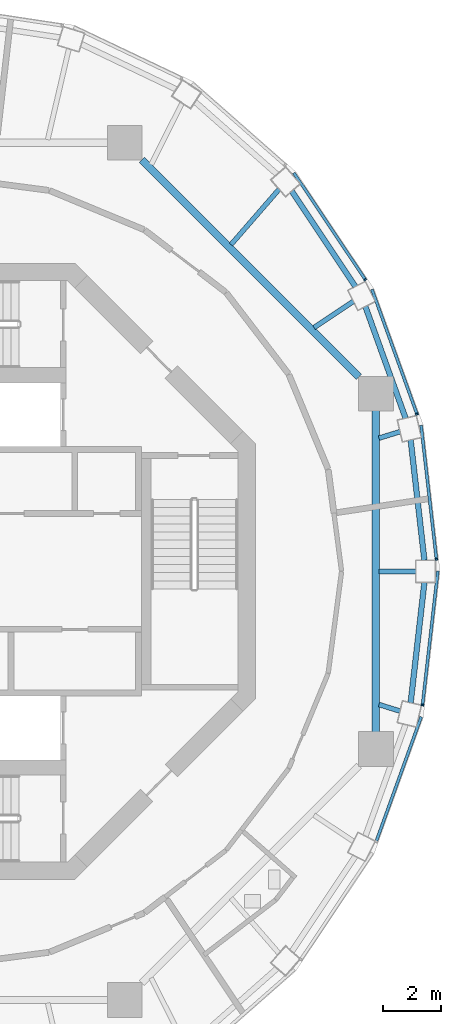
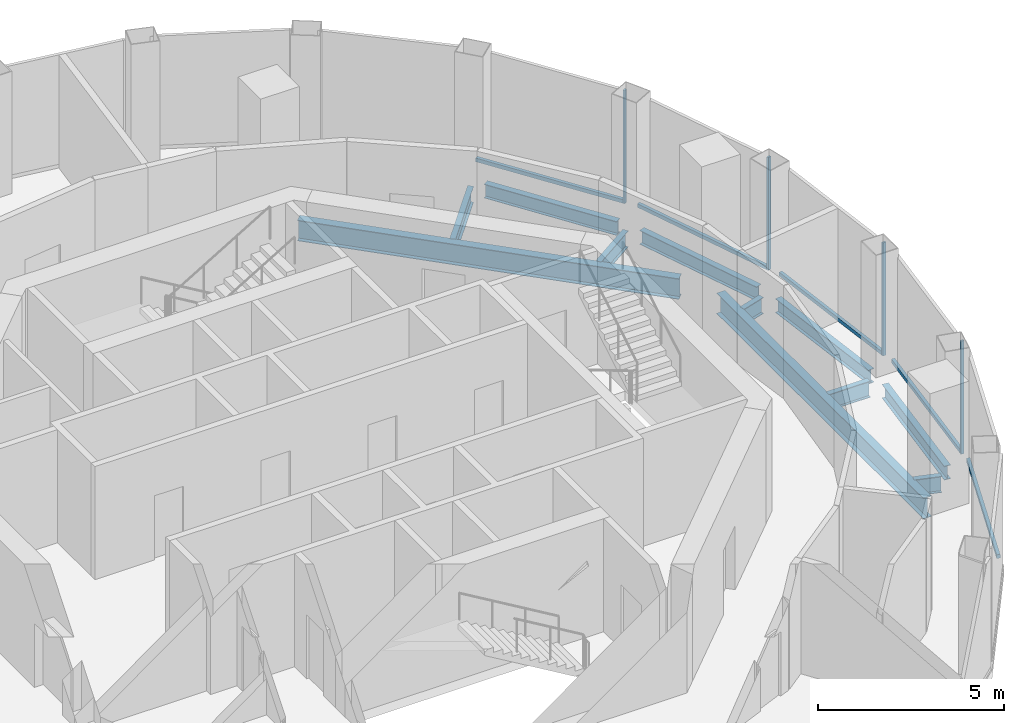
# One storey, part 5 of 12: 11 beams, 9 members, 5 elements without a shape of their own.
"""IFC4 building model written with IfcOpenShell, lengths in metres."""

from ifc_helpers import new_model, si_unit, direction, frame, origin, origin_2d, place, context, subcontext, project, spatial, rectangle, i_section, extrude, material, layer, layer_set, material_profile, profile_set, type_object, element, aggregate, save


model = new_model("IFC4")

# Units and contexts
model_context = context("Model", 3, precision=1e-05, world=origin(), true_north=direction((0.0, 1.0)))
body_context = subcontext(model_context, "Body", "Model", "MODEL_VIEW")
ifc_project = project(units=[si_unit("LENGTHUNIT", "METRE"), si_unit("AREAUNIT", "SQUARE_METRE"), si_unit("VOLUMEUNIT", "CUBIC_METRE"), si_unit("PLANEANGLEUNIT", "RADIAN"), si_unit("MASSUNIT", "GRAM", prefix="KILO")], contexts=[model_context])

# Site, building, storey
site_placement = place(None, origin())
site = spatial("IfcSite", under=ifc_project, at=site_placement, CompositionType="ELEMENT")
building_placement = place(site_placement, origin())
building = spatial("IfcBuilding", under=site, at=building_placement, Name="Nagisa Residences", CompositionType="ELEMENT")
storey_placement = place(building_placement, frame((0.0, 0.0, 328.89990234375)))
storey = spatial("IfcBuildingStorey", under=building, at=storey_placement, Name="L81", CompositionType="ELEMENT", Elevation=328.89990234375)

# Curtain wall, member
ifc_material_1 = material(Name="Aluminium curtain wall system", Category="aluminium")
ifc_layer = layer(ifc_material_1, 0.159912109375)
ifc_layer_set = layer_set([ifc_layer], Name="CW5 CURTAIN WALL")
curtain_wall_type = type_object("IfcCurtainWallType", Name="CW5 CURTAIN WALL", PredefinedType="NOTDEFINED", material=ifc_layer_set)
curtain_wall_1_placement = place(storey_placement, origin())
curtain_wall_1 = element("IfcCurtainWall", 1, at=curtain_wall_1_placement, inside=storey, type_object=curtain_wall_type, Name="cw:CW5:L81:00", PredefinedType="NOTDEFINED")
ifc_material_2 = material(Name="Aluminium", Category="aluminium")
ifc_material_profile_1 = material_profile(ifc_material_2, rectangle(XDim=0.10009765625, YDim=0.06005859375, at=origin_2d()), Name="CW5 MULLION 100x60")
ifc_profile_set_1 = profile_set([ifc_material_profile_1], Name="Aluminium")
member_type_1 = type_object("IfcMemberType", Name="CW5 MULLION 100x60", PredefinedType="MULLION", material=ifc_profile_set_1)
member_1_placement = place(storey_placement, frame((16.87158203125, 0.41796875, 0.0), z_axis=(0.0, 0.0, 1.0), x_axis=(-0.993477835048, -0.114025397474, 0.0)))
member_1 = element("IfcMember", 2, at=member_1_placement, type_object=member_type_1, Name="CW5 mullion", PredefinedType="MULLION", context=body_context, shape_type="SweptSolid", body=[
    extrude(rectangle(XDim=0.10009765625, YDim=0.06005859375, at=origin_2d()), origin(), (0.0, 0.0, 1.0), 3.7001953125),
])

curtain_wall_2_placement = place(storey_placement, origin())
curtain_wall_2 = element("IfcCurtainWall", 3, at=curtain_wall_2_placement, inside=storey, type_object=curtain_wall_type, Name="cw:CW5:L81:01", PredefinedType="NOTDEFINED")
member_2_placement = place(storey_placement, frame((16.199462890625, 5.42431640625, 0.0), z_axis=(0.0, 0.0, 1.0), x_axis=(-0.940554456033, -0.339642923136, 0.0)))
member_2 = element("IfcMember", 4, at=member_2_placement, type_object=member_type_1, Name="CW5 mullion", PredefinedType="MULLION", context=body_context, shape_type="SweptSolid", body=[
    extrude(rectangle(XDim=0.10009765625, YDim=0.06005859375, at=origin_2d()), origin(), (0.0, 0.0, 1.0), 3.7001953125),
])

curtain_wall_3_placement = place(storey_placement, origin())
curtain_wall_3 = element("IfcCurtainWall", 5, at=curtain_wall_3_placement, inside=storey, type_object=curtain_wall_type, Name="cw:CW5:L81:02", PredefinedType="NOTDEFINED")
member_3_placement = place(storey_placement, frame((14.416748046875, 10.06298828125, 0.0), z_axis=(0.0, 0.0, 1.0), x_axis=(-0.831172662415, -0.556014393027, 0.0)))
member_3 = element("IfcMember", 6, at=member_3_placement, type_object=member_type_1, Name="CW5 mullion", PredefinedType="MULLION", context=body_context, shape_type="SweptSolid", body=[
    extrude(rectangle(XDim=0.10009765625, YDim=0.06005859375, at=origin_2d()), origin(), (0.0, 0.0, 1.0), 3.7001953125),
])

curtain_wall_4_placement = place(storey_placement, origin())
curtain_wall_4 = element("IfcCurtainWall", 7, at=curtain_wall_4_placement, inside=storey, type_object=curtain_wall_type, Name="cw:CW5:L81:23", PredefinedType="NOTDEFINED")
member_4_placement = place(storey_placement, frame((16.390380859375, -4.610595703125, 0.0), z_axis=(0.0, 0.0, 1.0), x_axis=(-0.993477835048, 0.114025397474, 0.0)))
member_4 = element("IfcMember", 8, at=member_4_placement, type_object=member_type_1, Name="CW5 mullion", PredefinedType="MULLION", context=body_context, shape_type="SweptSolid", body=[
    extrude(rectangle(XDim=0.10009765625, YDim=0.06005859375, at=origin_2d()), origin(), (0.0, 0.0, 1.0), 3.7001953125),
])

# Member
ifc_material_3 = material(Name="Aluminium", Category="aluminium")
ifc_material_profile_2 = material_profile(ifc_material_3, rectangle(XDim=0.10009765625, YDim=0.1201171875, at=origin_2d()), Name="CW5 TRANSOM 100x120")
ifc_profile_set_2 = profile_set([ifc_material_profile_2], Name="Aluminium")
member_type_2 = type_object("IfcMemberType", Name="CW5 TRANSOM 100x120", PredefinedType="USERDEFINED", material=ifc_profile_set_2)
member_5_placement = place(storey_placement, frame((16.875, 0.38818359375, 0.06005859375), z_axis=(-0.114032075188, 0.993477068597, 0.0), x_axis=(-0.993477068597, -0.114032075188, 0.0)))
member_5 = element("IfcMember", 9, at=member_5_placement, type_object=member_type_2, Name="CW5 transom", ObjectType="TRANSOM", PredefinedType="USERDEFINED", context=body_context, shape_type="SweptSolid", body=[
    extrude(rectangle(XDim=0.10009765625, YDim=0.1201171875, at=origin_2d()), origin(), (0.0, 0.0, 1.0), 4.68017578125),
])

aggregate(curtain_wall_1, [member_1, member_5])

member_6_placement = place(storey_placement, frame((16.209716796875, 5.39599609375, 0.06005859375), z_axis=(-0.339645767878, 0.940553428766, 0.0), x_axis=(-0.940553428766, -0.339645767878, 0.0)))
member_6 = element("IfcMember", 10, at=member_6_placement, type_object=member_type_2, Name="CW5 transom", ObjectType="TRANSOM", PredefinedType="USERDEFINED", context=body_context, shape_type="SweptSolid", body=[
    extrude(rectangle(XDim=0.10009765625, YDim=0.1201171875, at=origin_2d()), origin(), (0.0, 0.0, 1.0), 4.600341796875),
])

aggregate(curtain_wall_2, [member_2, member_6])

member_7_placement = place(storey_placement, frame((14.43359375, 10.0380859375, 0.06005859375), z_axis=(-0.556026221044, 0.831164749921, 0.0), x_axis=(-0.831164749921, -0.556026221044, 0.0)))
member_7 = element("IfcMember", 11, at=member_7_placement, type_object=member_type_2, Name="CW5 transom", ObjectType="TRANSOM", PredefinedType="USERDEFINED", context=body_context, shape_type="SweptSolid", body=[
    extrude(rectangle(XDim=0.10009765625, YDim=0.1201171875, at=origin_2d()), origin(), (0.0, 0.0, 1.0), 4.458984375),
])

aggregate(curtain_wall_3, [member_3, member_7])

# Curtain wall, member
curtain_wall_5_placement = place(storey_placement, origin())
curtain_wall_5 = element("IfcCurtainWall", 12, at=curtain_wall_5_placement, inside=storey, type_object=curtain_wall_type, Name="cw:CW5:L81:22", PredefinedType="NOTDEFINED")
member_8_placement = place(storey_placement, frame((14.782958984375, -9.3466796875, 0.06005859375), z_axis=(0.339645767878, 0.940553428766, 0.0), x_axis=(-0.940553428766, 0.339645767878, 0.0)))
member_8 = element("IfcMember", 13, at=member_8_placement, type_object=member_type_2, Name="CW5 transom", ObjectType="TRANSOM", PredefinedType="USERDEFINED", context=body_context, shape_type="SweptSolid", body=[
    extrude(rectangle(XDim=0.10009765625, YDim=0.1201171875, at=origin_2d()), origin(), (0.0, 0.0, 1.0), 4.600341796875),
])
aggregate(curtain_wall_5, [member_8])

# Member
member_9_placement = place(storey_placement, frame((16.386962890625, -4.640380859375, 0.06005859375), z_axis=(0.11398649568, 0.993482299189, 0.0), x_axis=(-0.993482299189, 0.11398649568, 0.0)))
member_9 = element("IfcMember", 14, at=member_9_placement, type_object=member_type_2, Name="CW5 transom", ObjectType="TRANSOM", PredefinedType="USERDEFINED", context=body_context, shape_type="SweptSolid", body=[
    extrude(rectangle(XDim=0.10009765625, YDim=0.1201171875, at=origin_2d()), origin(), (0.0, 0.0, 1.0), 4.679931640625),
])

aggregate(curtain_wall_4, [member_4, member_9])

# Beams
ifc_material_4 = material(Name="Steel ASTM A572 Gr 50", Category="steel")
ifc_material_profile_3 = material_profile(ifc_material_4, i_section(OverallWidth=0.2529296875, OverallDepth=0.677978515625, WebThickness=0.01171875, FlangeThickness=0.016357421875, at=origin_2d()), Name="W690x125")
ifc_profile_set_3 = profile_set([ifc_material_profile_3], Name="Steel ASTM A572 Gr 50")
beam_type_1 = type_object("IfcBeamType", Name="Inner ring beam W690x125", PredefinedType="BEAM", material=ifc_profile_set_3)
beam_1_placement = place(storey_placement, frame((14.1962890625, 6.708740234375, -0.638916015625), z_axis=(-0.707106781187, 0.707106781187, 0.0), x_axis=(-0.707106781187, -0.707106781187, 0.0)))
element("IfcBeam", 15, at=beam_1_placement, inside=storey, type_object=beam_type_1, Name="beam:L81:ib1", PredefinedType="BEAM", context=body_context, shape_type="SweptSolid", body=[
    extrude(i_section(OverallWidth=0.2529296875, OverallDepth=0.677978515625, WebThickness=0.01171875, FlangeThickness=0.016357421875, at=origin_2d()), origin(), (0.0, 0.0, 1.0), 10.589111328125),
])
beam_2_placement = place(storey_placement, frame((14.781982421875, -5.54296875, -0.638916015625), z_axis=(0.0, 1.0, 0.0), x_axis=(-1.0, 0.0, 0.0)))
element("IfcBeam", 16, at=beam_2_placement, inside=storey, type_object=beam_type_1, Name="beam:L81:ib8", PredefinedType="BEAM", context=body_context, shape_type="SweptSolid", body=[
    extrude(i_section(OverallWidth=0.2529296875, OverallDepth=0.677978515625, WebThickness=0.01171875, FlangeThickness=0.016357421875, at=origin_2d()), origin(), (0.0, 0.0, 1.0), 11.0859375),
])
ifc_material_5 = material(Name="Steel ASTM A572 Gr 50", Category="steel")
ifc_material_profile_4 = material_profile(ifc_material_5, i_section(OverallWidth=0.18994140625, OverallDepth=0.45703125, WebThickness=0.009033203125, FlangeThickness=0.014404296875, at=origin_2d()), Name="W460x74")
ifc_profile_set_4 = profile_set([ifc_material_profile_4], Name="Steel ASTM A572 Gr 50")
beam_type_2 = type_object("IfcBeamType", Name="Perimeter ring beam W460x74", PredefinedType="BEAM", material=ifc_profile_set_4)
beam_3_placement = place(storey_placement, frame((16.45654296875, 0.380126953125, -0.5283203125), z_axis=(-0.113600894263, 0.993526465084, 0.0), x_axis=(-0.993526465084, -0.113600894263, 0.0)))
element("IfcBeam", 17, at=beam_3_placement, inside=storey, type_object=beam_type_2, Name="beam:L81:pb01", PredefinedType="BEAM", context=body_context, shape_type="SweptSolid", body=[
    extrude(i_section(OverallWidth=0.18994140625, OverallDepth=0.45703125, WebThickness=0.009033203125, FlangeThickness=0.014404296875, at=origin_2d()), origin(), (0.0, 0.0, 1.0), 4.184326171875),
])
beam_4_placement = place(storey_placement, frame((15.808349609375, 5.277587890625, -0.5283203125), z_axis=(-0.338517252251, 0.940960185092, 0.0), x_axis=(-0.940960185092, -0.338517252251, 0.0)))
element("IfcBeam", 18, at=beam_4_placement, inside=storey, type_object=beam_type_2, Name="beam:L81:pb02", PredefinedType="BEAM", context=body_context, shape_type="SweptSolid", body=[
    extrude(i_section(OverallWidth=0.18994140625, OverallDepth=0.45703125, WebThickness=0.009033203125, FlangeThickness=0.014404296875, at=origin_2d()), origin(), (0.0, 0.0, 1.0), 4.1044921875),
])
beam_5_placement = place(storey_placement, frame((14.0771484375, 9.818603515625, -0.5283203125), z_axis=(-0.554529560082, 0.832164026497, 0.0), x_axis=(-0.832164026497, -0.554529560082, 0.0)))
element("IfcBeam", 19, at=beam_5_placement, inside=storey, type_object=beam_type_2, Name="beam:L81:pb03", PredefinedType="BEAM", context=body_context, shape_type="SweptSolid", body=[
    extrude(i_section(OverallWidth=0.18994140625, OverallDepth=0.45703125, WebThickness=0.009033203125, FlangeThickness=0.014404296875, at=origin_2d()), origin(), (0.0, 0.0, 1.0), 3.96240234375),
])
beam_6_placement = place(storey_placement, frame((15.981201171875, -4.537353515625, -0.5283203125), z_axis=(0.113600894263, 0.993526465084, 0.0), x_axis=(-0.993526465084, 0.113600894263, 0.0)))
element("IfcBeam", 20, at=beam_6_placement, inside=storey, type_object=beam_type_2, Name="beam:L81:pb24", PredefinedType="BEAM", context=body_context, shape_type="SweptSolid", body=[
    extrude(i_section(OverallWidth=0.18994140625, OverallDepth=0.45703125, WebThickness=0.009033203125, FlangeThickness=0.014404296875, at=origin_2d()), origin(), (0.0, 0.0, 1.0), 4.184326171875),
])
ifc_material_6 = material(Name="Steel ASTM A572 Gr 50", Category="steel")
ifc_material_profile_5 = material_profile(ifc_material_6, i_section(OverallWidth=0.166015625, OverallDepth=0.534912109375, WebThickness=0.01025390625, FlangeThickness=0.0166015625, at=origin_2d()), Name="W530x85")
ifc_profile_set_5 = profile_set([ifc_material_profile_5], Name="Steel ASTM A572 Gr 50")
beam_type_3 = type_object("IfcBeamType", Name="Radial beam W530x85", PredefinedType="BEAM", material=ifc_profile_set_5)
beam_7_placement = place(storey_placement, frame((16.169921875, 0.0, -0.5673828125), z_axis=(-1.0, 0.0, 0.0), x_axis=(0.0, -1.0, 0.0)))
element("IfcBeam", 21, at=beam_7_placement, inside=storey, type_object=beam_type_3, Name="beam:L81:rb01", PredefinedType="BEAM", context=body_context, shape_type="SweptSolid", body=[
    extrude(i_section(OverallWidth=0.166015625, OverallDepth=0.534912109375, WebThickness=0.01025390625, FlangeThickness=0.0166015625, at=origin_2d()), origin(), (0.0, 0.0, 1.0), 1.28125),
])
beam_8_placement = place(storey_placement, frame((15.62158203125, 4.820068359375, -0.5673828125), z_axis=(-0.955489220567, -0.295026014753, 0.0), x_axis=(0.295026014753, -0.955489220567, 0.0)))
element("IfcBeam", 22, at=beam_8_placement, inside=storey, type_object=beam_type_3, Name="beam:L81:rb02", PredefinedType="BEAM", context=body_context, shape_type="SweptSolid", body=[
    extrude(i_section(OverallWidth=0.166015625, OverallDepth=0.534912109375, WebThickness=0.01025390625, FlangeThickness=0.0166015625, at=origin_2d()), origin(), (0.0, 0.0, 1.0), 0.766357421875),
])
beam_9_placement = place(storey_placement, frame((14.012451171875, 9.31591796875, -0.5673828125), z_axis=(-0.832714310154, -0.553702878505, 0.0), x_axis=(0.553702878505, -0.832714310154, 0.0)))
element("IfcBeam", 23, at=beam_9_placement, inside=storey, type_object=beam_type_3, Name="beam:L81:rb03", PredefinedType="BEAM", context=body_context, shape_type="SweptSolid", body=[
    extrude(i_section(OverallWidth=0.166015625, OverallDepth=0.534912109375, WebThickness=0.01025390625, FlangeThickness=0.0166015625, at=origin_2d()), origin(), (0.0, 0.0, 1.0), 1.638916015625),
])
beam_10_placement = place(storey_placement, frame((11.44873046875, 13.183349609375, -0.5673828125), z_axis=(-0.655718438616, -0.755005516045, 0.0), x_axis=(0.755005516045, -0.655718438616, 0.0)))
element("IfcBeam", 24, at=beam_10_placement, inside=storey, type_object=beam_type_3, Name="beam:L81:rb04", PredefinedType="BEAM", context=body_context, shape_type="SweptSolid", body=[
    extrude(i_section(OverallWidth=0.166015625, OverallDepth=0.534912109375, WebThickness=0.01025390625, FlangeThickness=0.0166015625, at=origin_2d()), origin(), (0.0, 0.0, 1.0), 2.53515625),
])
beam_11_placement = place(storey_placement, frame((15.62158203125, -4.820068359375, -0.5673828125), z_axis=(-0.955489220567, 0.295026014753, 0.0), x_axis=(-0.295026014753, -0.955489220567, 0.0)))
element("IfcBeam", 25, at=beam_11_placement, inside=storey, type_object=beam_type_3, Name="beam:L81:rb24", PredefinedType="BEAM", context=body_context, shape_type="SweptSolid", body=[
    extrude(i_section(OverallWidth=0.166015625, OverallDepth=0.534912109375, WebThickness=0.01025390625, FlangeThickness=0.0166015625, at=origin_2d()), origin(), (0.0, 0.0, 1.0), 0.766357421875),
])

save(model, "model.ifc")
